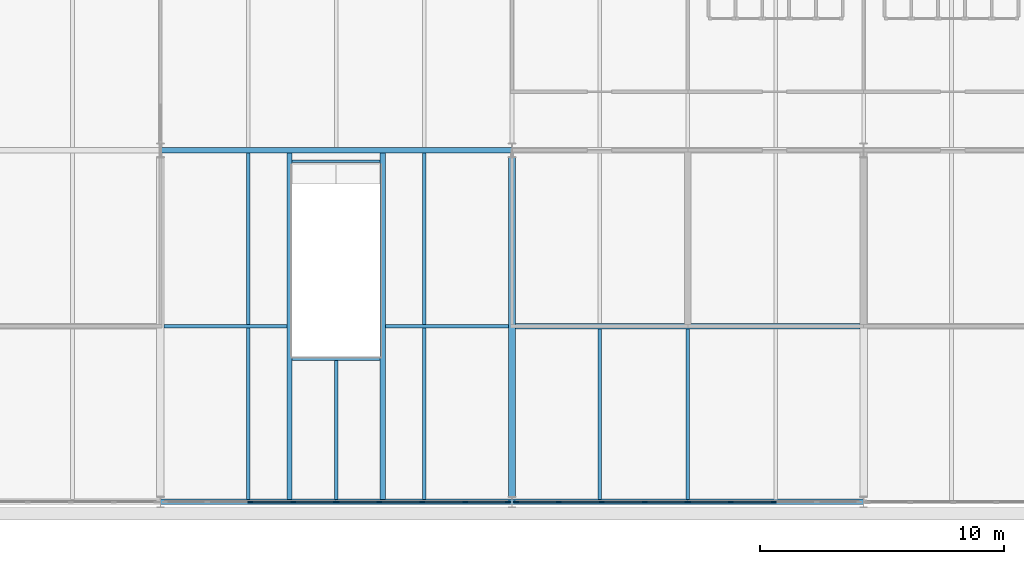
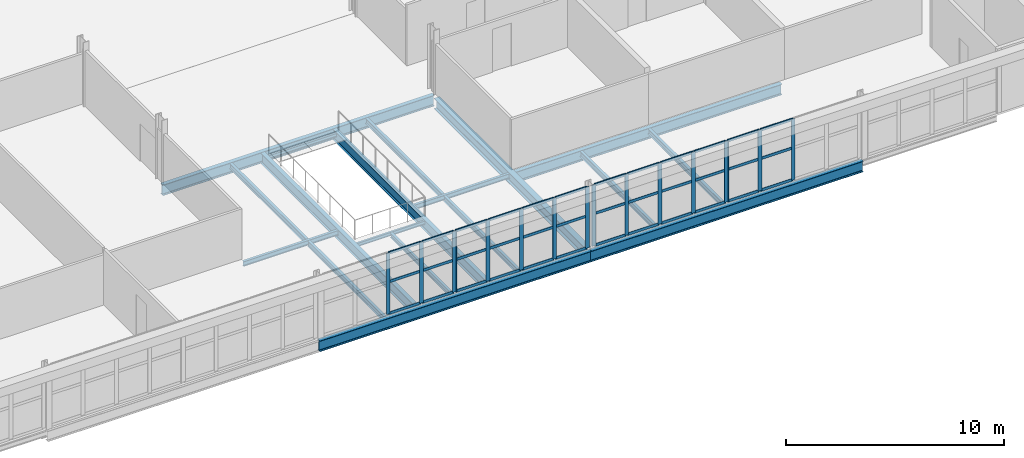
# One storey, part 25 of 142: 52 members, 18 beams, 4 elements without a shape of their own.
"""IFC4 building model written with IfcOpenShell, lengths in metres."""

from ifc_helpers import new_model, si_unit, direction, frame, origin, origin_2d, place, context, subcontext, project, spatial, rectangle, i_section, extrude, material, material_profile, profile_set, type_object, element, aggregate, save


model = new_model("IFC4")

# Units and contexts
model_context = context("Model", 3, precision=1e-05, world=origin(), true_north=direction((0.0, 1.0)))
body_context = subcontext(model_context, "Body", "Model", "MODEL_VIEW")
ifc_project = project(units=[si_unit("LENGTHUNIT", "METRE"), si_unit("AREAUNIT", "SQUARE_METRE"), si_unit("VOLUMEUNIT", "CUBIC_METRE"), si_unit("PLANEANGLEUNIT", "RADIAN"), si_unit("MASSUNIT", "GRAM", prefix="KILO")], contexts=[model_context])

# Site, building, storey
site_placement = place(None, origin())
site = spatial("IfcSite", under=ifc_project, at=site_placement, CompositionType="ELEMENT")
building_placement = place(site_placement, origin())
building = spatial("IfcBuilding", under=site, at=building_placement, Name="Kupolbacken Congress Centre", CompositionType="ELEMENT")
storey_placement = place(building_placement, frame((0.0, 0.0, 14.39990234375)))
storey = spatial("IfcBuildingStorey", under=building, at=storey_placement, Name="L04", CompositionType="ELEMENT", Elevation=14.39990234375)

# Beams
ifc_material_1 = material(Name="Steel S355", Category="steel")
ifc_material_profile_1 = material_profile(ifc_material_1, i_section(OverallWidth=0.10009765625, OverallDepth=0.199951171875, WebThickness=0.005615234375, FlangeThickness=0.008544921875, FilletRadius=0.011962890625, at=origin_2d()), Name="IPE 200")
ifc_profile_set_1 = profile_set([ifc_material_profile_1], Name="Steel S355")
beam_type_1 = type_object("IfcBeamType", Name="B01 beam IPE 200", PredefinedType="BEAM", material=ifc_profile_set_1)
for number, where, z_axis, x_axis, name in (
    (1, (41.39990234375, 34.65234375, -0.27978515625), (1.0, 0.0, 0.0), (0.0, 1.0, 0.0), "S/floor/F/L04/T032"),
    (2, (41.39990234375, 42.747802734375, -0.27978515625), (1.0, 0.0, 0.0), (0.0, 1.0, 0.0), "S/floor/F/L04/T033"),
):
    element("IfcBeam", number, at=place(storey_placement, frame(where, z_axis=z_axis, x_axis=x_axis)), inside=storey, type_object=beam_type_1, Name=name, PredefinedType="BEAM", context=body_context, shape_type="SweptSolid", body=[
        extrude(i_section(OverallWidth=0.10009765625, OverallDepth=0.199951171875, WebThickness=0.005615234375, FlangeThickness=0.008544921875, FilletRadius=0.011962890625, at=origin_2d()), origin(), (0.0, 0.0, 1.0), 3.60009765625),
    ])
ifc_material_2 = material(Name="Steel S355", Category="steel")
ifc_material_profile_2 = material_profile(ifc_material_2, i_section(OverallWidth=0.135009765625, OverallDepth=0.27001953125, WebThickness=0.006591796875, FlangeThickness=0.01025390625, FilletRadius=0.014892578125, at=origin_2d()), Name="IPE 270")
ifc_profile_set_2 = profile_set([ifc_material_profile_2], Name="Steel S355")
beam_type_2 = type_object("IfcBeamType", Name="B03 beam IPE 270", PredefinedType="BEAM", material=ifc_profile_set_2)
for number, where, z_axis, x_axis, name in (
    (3, (36.14990234375, 36.0, -0.31494140625), (1.0, 0.0, 0.0), (0.0, 1.0, 0.0), "S/floor/F/L04/R036"),
    (4, (45.219970703125, 36.0, -0.31494140625), (1.0, 0.0, 0.0), (0.0, 1.0, 0.0), "S/floor/F/L04/R037"),
):
    element("IfcBeam", number, at=place(storey_placement, frame(where, z_axis=z_axis, x_axis=x_axis)), inside=storey, type_object=beam_type_2, Name=name, PredefinedType="BEAM", context=body_context, shape_type="SweptSolid", body=[
        extrude(i_section(OverallWidth=0.135009765625, OverallDepth=0.27001953125, WebThickness=0.006591796875, FlangeThickness=0.01025390625, FilletRadius=0.014892578125, at=origin_2d()), origin(), (0.0, 0.0, 1.0), 5.030029296875),
    ])
beam_1_placement = place(storey_placement, frame((43.199951171875, 28.909912109375, -0.31494140625), z_axis=(0.0, 1.0, 0.0), x_axis=(-1.0, 0.0, 0.0)))
element("IfcBeam", 5, at=beam_1_placement, inside=storey, type_object=beam_type_2, Name="S/floor/F/L04/S061", PredefinedType="BEAM", context=body_context, shape_type="SweptSolid", body=[
    extrude(i_section(OverallWidth=0.135009765625, OverallDepth=0.27001953125, WebThickness=0.006591796875, FlangeThickness=0.01025390625, FilletRadius=0.014892578125, at=origin_2d()), origin(), (0.0, 0.0, 1.0), 5.6923828125),
])
ifc_material_3 = material(Name="Steel S355", Category="steel")
ifc_material_profile_3 = material_profile(ifc_material_3, i_section(OverallWidth=0.14990234375, OverallDepth=0.300048828125, WebThickness=0.007080078125, FlangeThickness=0.0107421875, FilletRadius=0.014892578125, at=origin_2d()), Name="IPE 300")
ifc_profile_set_3 = profile_set([ifc_material_profile_3], Name="Steel S355")
beam_type_3 = type_object("IfcBeamType", Name="B04 beam IPE 300", PredefinedType="BEAM", material=ifc_profile_set_3)
for number, where, z_axis, x_axis, name in (
    (6, (39.60009765625, 28.909912109375, -0.329833984375), (0.0, 1.0, 0.0), (-1.0, 0.0, 0.0), "S/floor/F/L04/S058"),
    (7, (39.60009765625, 36.0673828125, -0.329833984375), (0.0, 1.0, 0.0), (-1.0, 0.0, 0.0), "S/floor/F/L04/S059"),
    (8, (46.800048828125, 28.909912109375, -0.329833984375), (0.0, 1.0, 0.0), (-1.0, 0.0, 0.0), "S/floor/F/L04/S063"),
    (9, (46.800048828125, 36.0673828125, -0.329833984375), (0.0, 1.0, 0.0), (-1.0, 0.0, 0.0), "S/floor/F/L04/S064"),
):
    element("IfcBeam", number, at=place(storey_placement, frame(where, z_axis=z_axis, x_axis=x_axis)), inside=storey, type_object=beam_type_3, Name=name, PredefinedType="BEAM", context=body_context, shape_type="SweptSolid", body=[
        extrude(i_section(OverallWidth=0.14990234375, OverallDepth=0.300048828125, WebThickness=0.007080078125, FlangeThickness=0.0107421875, FilletRadius=0.014892578125, at=origin_2d()), origin(), (0.0, 0.0, 1.0), 7.022705078125),
    ])
for number, where, z_axis, x_axis, name in (
    (10, (54.0, 28.909912109375, -0.329833984375), (0.0, 1.0, 0.0), (-1.0, 0.0, 0.0), "S/floor/F/L04/S066"),
    (11, (57.60009765625, 28.909912109375, -0.329833984375), (0.0, 1.0, 0.0), (-1.0, 0.0, 0.0), "S/floor/F/L04/S069"),
):
    element("IfcBeam", number, at=place(storey_placement, frame(where, z_axis=z_axis, x_axis=x_axis)), inside=storey, type_object=beam_type_3, Name=name, PredefinedType="BEAM", context=body_context, shape_type="SweptSolid", body=[
        extrude(i_section(OverallWidth=0.14990234375, OverallDepth=0.300048828125, WebThickness=0.007080078125, FlangeThickness=0.0107421875, FilletRadius=0.014892578125, at=origin_2d()), origin(), (0.0, 0.0, 1.0), 6.97998046875),
    ])
ifc_material_4 = material(Name="Steel S355", Category="steel")
ifc_material_profile_4 = material_profile(ifc_material_4, i_section(OverallWidth=0.219970703125, OverallDepth=0.60009765625, WebThickness=0.011962890625, FlangeThickness=0.01904296875, FilletRadius=0.02392578125, at=origin_2d()), Name="IPE 600")
ifc_profile_set_4 = profile_set([ifc_material_profile_4], Name="Steel S355")
beam_type_4 = type_object("IfcBeamType", Name="B11 beam IPE 600", PredefinedType="BEAM", material=ifc_profile_set_4)
for number, where, z_axis, x_axis, name in (
    (12, (36.007080078125, 28.800048828125, -0.47998046875), (1.0, 0.0, 0.0), (0.0, 1.0, 0.0), "S/floor/F/L04/R017"),
    (13, (50.406982421875, 28.800048828125, -0.47998046875), (1.0, 0.0, 0.0), (0.0, 1.0, 0.0), "S/floor/F/L04/R018"),
):
    element("IfcBeam", number, at=place(storey_placement, frame(where, z_axis=z_axis, x_axis=x_axis)), inside=storey, type_object=beam_type_4, Name=name, PredefinedType="BEAM", context=body_context, shape_type="SweptSolid", body=[
        extrude(i_section(OverallWidth=0.219970703125, OverallDepth=0.60009765625, WebThickness=0.011962890625, FlangeThickness=0.01904296875, FilletRadius=0.02392578125, at=origin_2d()), origin(), (0.0, 0.0, 1.0), 14.385986328125),
    ])
beam_2_placement = place(storey_placement, frame((36.0078125, 43.199951171875, -0.47998046875), z_axis=(1.0, 0.0, 0.0), x_axis=(0.0, 1.0, 0.0)))
element("IfcBeam", 14, at=beam_2_placement, inside=storey, type_object=beam_type_4, Name="S/floor/F/L04/R022", PredefinedType="BEAM", context=body_context, shape_type="SweptSolid", body=[
    extrude(i_section(OverallWidth=0.219970703125, OverallDepth=0.60009765625, WebThickness=0.011962890625, FlangeThickness=0.01904296875, FilletRadius=0.02392578125, at=origin_2d()), origin(), (0.0, 0.0, 1.0), 14.384521484375),
])
for number, where, z_axis, x_axis, name in (
    (15, (41.2900390625, 28.909912109375, -0.47998046875), (0.0, 1.0, 0.0), (-1.0, 0.0, 0.0), "S/floor/F/L04/T030"),
    (16, (45.110107421875, 28.909912109375, -0.47998046875), (0.0, 1.0, 0.0), (-1.0, 0.0, 0.0), "S/floor/F/L04/T031"),
):
    element("IfcBeam", number, at=place(storey_placement, frame(where, z_axis=z_axis, x_axis=x_axis)), inside=storey, type_object=beam_type_4, Name=name, PredefinedType="BEAM", context=body_context, shape_type="SweptSolid", body=[
        extrude(i_section(OverallWidth=0.219970703125, OverallDepth=0.60009765625, WebThickness=0.011962890625, FlangeThickness=0.01904296875, FilletRadius=0.02392578125, at=origin_2d()), origin(), (0.0, 0.0, 1.0), 14.18017578125),
    ])
beam_3_placement = place(storey_placement, frame((50.550048828125, 36.0, -0.47998046875), z_axis=(1.0, 0.0, 0.0), x_axis=(0.0, 1.0, 0.0)))
element("IfcBeam", 17, at=beam_3_placement, inside=storey, type_object=beam_type_4, Name="S/floor/F/L04/R038", PredefinedType="BEAM", context=body_context, shape_type="SweptSolid", body=[
    extrude(i_section(OverallWidth=0.219970703125, OverallDepth=0.60009765625, WebThickness=0.011962890625, FlangeThickness=0.01904296875, FilletRadius=0.02392578125, at=origin_2d()), origin(), (0.0, 0.0, 1.0), 14.099853515625),
])
ifc_material_5 = material(Name="Steel S355", Category="steel")
ifc_material_profile_5 = material_profile(ifc_material_5, i_section(OverallWidth=0.300048828125, OverallDepth=0.60009765625, WebThickness=0.015380859375, FlangeThickness=0.030029296875, FilletRadius=0.027099609375, at=origin_2d()), Name="HEB 600")
ifc_profile_set_5 = profile_set([ifc_material_profile_5], Name="Steel S355")
beam_type_5 = type_object("IfcBeamType", Name="B15 beam HEB 600", PredefinedType="BEAM", material=ifc_profile_set_5)
beam_4_placement = place(storey_placement, frame((50.39990234375, 29.02490234375, -0.47998046875), z_axis=(0.0, 1.0, 0.0), x_axis=(-1.0, 0.0, 0.0)))
element("IfcBeam", 18, at=beam_4_placement, inside=storey, type_object=beam_type_5, Name="S/floor/F/L04/G008", PredefinedType="BEAM", context=body_context, shape_type="SweptSolid", body=[
    extrude(i_section(OverallWidth=0.300048828125, OverallDepth=0.60009765625, WebThickness=0.015380859375, FlangeThickness=0.030029296875, FilletRadius=0.027099609375, at=origin_2d()), origin(), (0.0, 0.0, 1.0), 13.875),
])

# Curtain wall, members
ifc_material_6 = material(Name="Aluminium mullion-transom frame with glass", Category="aluminium")
curtain_wall_type = type_object("IfcCurtainWallType", Name="CW1 curtain wall 7200x3600", PredefinedType="NOTDEFINED", material=ifc_material_6)
curtain_wall_1_placement = place(storey_placement, origin())
curtain_wall_1 = element("IfcCurtainWall", 19, at=curtain_wall_1_placement, inside=storey, type_object=curtain_wall_type, Name="E/F/S/L04/416", PredefinedType="NOTDEFINED")
ifc_material_7 = material(Name="Aluminium alloy", Category="aluminium")
ifc_material_profile_6 = material_profile(ifc_material_7, rectangle(XDim=0.050048828125, YDim=0.199951171875, at=origin_2d()), Name="50 x 200")
ifc_profile_set_6 = profile_set([ifc_material_profile_6], Name="Aluminium alloy")
member_type_1 = type_object("IfcMemberType", Name="MU2 mullion 50x200", PredefinedType="MULLION", material=ifc_profile_set_6)
member_1_placement = place(storey_placement, frame((39.675048828125, 28.800048828125, 0.0), z_axis=(0.0, 0.0, 1.0), x_axis=(0.0, 1.0, 0.0)))
member_1 = element("IfcMember", 20, at=member_1_placement, type_object=member_type_1, Name="CW1 mullion 3", PredefinedType="MULLION", context=body_context, shape_type="SweptSolid", body=[
    extrude(rectangle(XDim=0.050048828125, YDim=0.199951171875, at=origin_2d()), origin(), (0.0, 0.0, 1.0), 3.420166015625),
])
member_2_placement = place(storey_placement, frame((41.4375, 28.800048828125, 0.0), z_axis=(0.0, 0.0, 1.0), x_axis=(0.0, 1.0, 0.0)))
member_2 = element("IfcMember", 21, at=member_2_placement, type_object=member_type_1, Name="CW1 mullion 4", PredefinedType="MULLION", context=body_context, shape_type="SweptSolid", body=[
    extrude(rectangle(XDim=0.050048828125, YDim=0.199951171875, at=origin_2d()), origin(), (0.0, 0.0, 1.0), 3.420166015625),
])
member_3_placement = place(storey_placement, frame((43.175048828125, 28.800048828125, 0.0), z_axis=(0.0, 0.0, 1.0), x_axis=(0.0, 1.0, 0.0)))
member_3 = element("IfcMember", 22, at=member_3_placement, type_object=member_type_1, Name="CW1 mullion 5", PredefinedType="MULLION", context=body_context, shape_type="SweptSolid", body=[
    extrude(rectangle(XDim=0.050048828125, YDim=0.199951171875, at=origin_2d()), origin(), (0.0, 0.0, 1.0), 3.420166015625),
])

curtain_wall_2_placement = place(storey_placement, origin())
curtain_wall_2 = element("IfcCurtainWall", 23, at=curtain_wall_2_placement, inside=storey, type_object=curtain_wall_type, Name="E/F/S/L04/417", PredefinedType="NOTDEFINED")
member_4_placement = place(storey_placement, frame((43.22509765625, 28.800048828125, 0.0), z_axis=(0.0, 0.0, 1.0), x_axis=(0.0, 1.0, 0.0)))
member_4 = element("IfcMember", 24, at=member_4_placement, type_object=member_type_1, Name="CW1 mullion 1", PredefinedType="MULLION", context=body_context, shape_type="SweptSolid", body=[
    extrude(rectangle(XDim=0.050048828125, YDim=0.199951171875, at=origin_2d()), origin(), (0.0, 0.0, 1.0), 3.420166015625),
])
member_5_placement = place(storey_placement, frame((44.96240234375, 28.800048828125, 0.0), z_axis=(0.0, 0.0, 1.0), x_axis=(0.0, 1.0, 0.0)))
member_5 = element("IfcMember", 25, at=member_5_placement, type_object=member_type_1, Name="CW1 mullion 2", PredefinedType="MULLION", context=body_context, shape_type="SweptSolid", body=[
    extrude(rectangle(XDim=0.050048828125, YDim=0.199951171875, at=origin_2d()), origin(), (0.0, 0.0, 1.0), 3.420166015625),
])
member_6_placement = place(storey_placement, frame((46.72509765625, 28.800048828125, 0.0), z_axis=(0.0, 0.0, 1.0), x_axis=(0.0, 1.0, 0.0)))
member_6 = element("IfcMember", 26, at=member_6_placement, type_object=member_type_1, Name="CW1 mullion 3", PredefinedType="MULLION", context=body_context, shape_type="SweptSolid", body=[
    extrude(rectangle(XDim=0.050048828125, YDim=0.199951171875, at=origin_2d()), origin(), (0.0, 0.0, 1.0), 3.420166015625),
])
member_7_placement = place(storey_placement, frame((48.487548828125, 28.800048828125, 0.0), z_axis=(0.0, 0.0, 1.0), x_axis=(0.0, 1.0, 0.0)))
member_7 = element("IfcMember", 27, at=member_7_placement, type_object=member_type_1, Name="CW1 mullion 4", PredefinedType="MULLION", context=body_context, shape_type="SweptSolid", body=[
    extrude(rectangle(XDim=0.050048828125, YDim=0.199951171875, at=origin_2d()), origin(), (0.0, 0.0, 1.0), 3.420166015625),
])
member_8_placement = place(storey_placement, frame((50.22509765625, 28.800048828125, 0.0), z_axis=(0.0, 0.0, 1.0), x_axis=(0.0, 1.0, 0.0)))
member_8 = element("IfcMember", 28, at=member_8_placement, type_object=member_type_1, Name="CW1 mullion 5", PredefinedType="MULLION", context=body_context, shape_type="SweptSolid", body=[
    extrude(rectangle(XDim=0.050048828125, YDim=0.199951171875, at=origin_2d()), origin(), (0.0, 0.0, 1.0), 3.420166015625),
])

curtain_wall_3_placement = place(storey_placement, origin())
curtain_wall_3 = element("IfcCurtainWall", 29, at=curtain_wall_3_placement, inside=storey, type_object=curtain_wall_type, Name="E/F/S/L04/418", PredefinedType="NOTDEFINED")
member_9_placement = place(storey_placement, frame((50.574951171875, 28.800048828125, 0.0), z_axis=(0.0, 0.0, 1.0), x_axis=(0.0, 1.0, 0.0)))
member_9 = element("IfcMember", 30, at=member_9_placement, type_object=member_type_1, Name="CW1 mullion 1", PredefinedType="MULLION", context=body_context, shape_type="SweptSolid", body=[
    extrude(rectangle(XDim=0.050048828125, YDim=0.199951171875, at=origin_2d()), origin(), (0.0, 0.0, 1.0), 3.420166015625),
])
member_10_placement = place(storey_placement, frame((52.3125, 28.800048828125, 0.0), z_axis=(0.0, 0.0, 1.0), x_axis=(0.0, 1.0, 0.0)))
member_10 = element("IfcMember", 31, at=member_10_placement, type_object=member_type_1, Name="CW1 mullion 2", PredefinedType="MULLION", context=body_context, shape_type="SweptSolid", body=[
    extrude(rectangle(XDim=0.050048828125, YDim=0.199951171875, at=origin_2d()), origin(), (0.0, 0.0, 1.0), 3.420166015625),
])
member_11_placement = place(storey_placement, frame((54.074951171875, 28.800048828125, 0.0), z_axis=(0.0, 0.0, 1.0), x_axis=(0.0, 1.0, 0.0)))
member_11 = element("IfcMember", 32, at=member_11_placement, type_object=member_type_1, Name="CW1 mullion 3", PredefinedType="MULLION", context=body_context, shape_type="SweptSolid", body=[
    extrude(rectangle(XDim=0.050048828125, YDim=0.199951171875, at=origin_2d()), origin(), (0.0, 0.0, 1.0), 3.420166015625),
])
member_12_placement = place(storey_placement, frame((55.83740234375, 28.800048828125, 0.0), z_axis=(0.0, 0.0, 1.0), x_axis=(0.0, 1.0, 0.0)))
member_12 = element("IfcMember", 33, at=member_12_placement, type_object=member_type_1, Name="CW1 mullion 4", PredefinedType="MULLION", context=body_context, shape_type="SweptSolid", body=[
    extrude(rectangle(XDim=0.050048828125, YDim=0.199951171875, at=origin_2d()), origin(), (0.0, 0.0, 1.0), 3.420166015625),
])
member_13_placement = place(storey_placement, frame((57.574951171875, 28.800048828125, 0.0), z_axis=(0.0, 0.0, 1.0), x_axis=(0.0, 1.0, 0.0)))
member_13 = element("IfcMember", 34, at=member_13_placement, type_object=member_type_1, Name="CW1 mullion 5", PredefinedType="MULLION", context=body_context, shape_type="SweptSolid", body=[
    extrude(rectangle(XDim=0.050048828125, YDim=0.199951171875, at=origin_2d()), origin(), (0.0, 0.0, 1.0), 3.420166015625),
])

curtain_wall_4_placement = place(storey_placement, origin())
curtain_wall_4 = element("IfcCurtainWall", 35, at=curtain_wall_4_placement, inside=storey, type_object=curtain_wall_type, Name="E/F/S/L04/419", PredefinedType="NOTDEFINED")
member_14_placement = place(storey_placement, frame((57.625, 28.800048828125, 0.0), z_axis=(0.0, 0.0, 1.0), x_axis=(0.0, 1.0, 0.0)))
member_14 = element("IfcMember", 36, at=member_14_placement, type_object=member_type_1, Name="CW1 mullion 1", PredefinedType="MULLION", context=body_context, shape_type="SweptSolid", body=[
    extrude(rectangle(XDim=0.050048828125, YDim=0.199951171875, at=origin_2d()), origin(), (0.0, 0.0, 1.0), 3.420166015625),
])
member_15_placement = place(storey_placement, frame((59.362548828125, 28.800048828125, 0.0), z_axis=(0.0, 0.0, 1.0), x_axis=(0.0, 1.0, 0.0)))
member_15 = element("IfcMember", 37, at=member_15_placement, type_object=member_type_1, Name="CW1 mullion 2", PredefinedType="MULLION", context=body_context, shape_type="SweptSolid", body=[
    extrude(rectangle(XDim=0.050048828125, YDim=0.199951171875, at=origin_2d()), origin(), (0.0, 0.0, 1.0), 3.420166015625),
])
member_16_placement = place(storey_placement, frame((61.125, 28.800048828125, 0.0), z_axis=(0.0, 0.0, 1.0), x_axis=(0.0, 1.0, 0.0)))
member_16 = element("IfcMember", 38, at=member_16_placement, type_object=member_type_1, Name="CW1 mullion 3", PredefinedType="MULLION", context=body_context, shape_type="SweptSolid", body=[
    extrude(rectangle(XDim=0.050048828125, YDim=0.199951171875, at=origin_2d()), origin(), (0.0, 0.0, 1.0), 3.420166015625),
])

# Member
ifc_material_8 = material(Name="Aluminium alloy", Category="aluminium")
ifc_material_profile_7 = material_profile(ifc_material_8, rectangle(XDim=0.050048828125, YDim=0.14990234375, at=origin_2d()), Name="50 x 150")
ifc_profile_set_7 = profile_set([ifc_material_profile_7], Name="Aluminium alloy")
member_type_2 = type_object("IfcMemberType", Name="TR2 transom 50x150", PredefinedType="MULLION", material=ifc_profile_set_7)
member_17_placement = place(storey_placement, frame((39.699951171875, 28.800048828125, 0.025146484375), z_axis=(1.0, 0.0, 0.0), x_axis=(0.0, 1.0, 0.0)))
member_17 = element("IfcMember", 39, at=member_17_placement, type_object=member_type_2, Name="CW1 transom 3.1", PredefinedType="MULLION", context=body_context, shape_type="SweptSolid", body=[
    extrude(rectangle(XDim=0.050048828125, YDim=0.14990234375, at=origin_2d()), origin(), (0.0, 0.0, 1.0), 1.712646484375),
])

member_18_placement = place(storey_placement, frame((39.699951171875, 28.800048828125, 1.800048828125), z_axis=(1.0, 0.0, 0.0), x_axis=(0.0, 1.0, 0.0)))
member_18 = element("IfcMember", 40, at=member_18_placement, type_object=member_type_2, Name="CW1 transom 3.2", PredefinedType="MULLION", context=body_context, shape_type="SweptSolid", body=[
    extrude(rectangle(XDim=0.050048828125, YDim=0.14990234375, at=origin_2d()), origin(), (0.0, 0.0, 1.0), 1.712646484375),
])

member_19_placement = place(storey_placement, frame((39.699951171875, 28.800048828125, 3.39501953125), z_axis=(1.0, 0.0, 0.0), x_axis=(0.0, 1.0, 0.0)))
member_19 = element("IfcMember", 41, at=member_19_placement, type_object=member_type_2, Name="CW1 transom 3.3", PredefinedType="MULLION", context=body_context, shape_type="SweptSolid", body=[
    extrude(rectangle(XDim=0.050048828125, YDim=0.14990234375, at=origin_2d()), origin(), (0.0, 0.0, 1.0), 1.712646484375),
])

member_20_placement = place(storey_placement, frame((41.46240234375, 28.800048828125, 0.025146484375), z_axis=(1.0, 0.0, 0.0), x_axis=(0.0, 1.0, 0.0)))
member_20 = element("IfcMember", 42, at=member_20_placement, type_object=member_type_2, Name="CW1 transom 4.1", PredefinedType="MULLION", context=body_context, shape_type="SweptSolid", body=[
    extrude(rectangle(XDim=0.050048828125, YDim=0.14990234375, at=origin_2d()), origin(), (0.0, 0.0, 1.0), 1.6875),
])

member_21_placement = place(storey_placement, frame((41.46240234375, 28.800048828125, 1.800048828125), z_axis=(1.0, 0.0, 0.0), x_axis=(0.0, 1.0, 0.0)))
member_21 = element("IfcMember", 43, at=member_21_placement, type_object=member_type_2, Name="CW1 transom 4.2", PredefinedType="MULLION", context=body_context, shape_type="SweptSolid", body=[
    extrude(rectangle(XDim=0.050048828125, YDim=0.14990234375, at=origin_2d()), origin(), (0.0, 0.0, 1.0), 1.6875),
])

member_22_placement = place(storey_placement, frame((41.46240234375, 28.800048828125, 3.39501953125), z_axis=(1.0, 0.0, 0.0), x_axis=(0.0, 1.0, 0.0)))
member_22 = element("IfcMember", 44, at=member_22_placement, type_object=member_type_2, Name="CW1 transom 4.3", PredefinedType="MULLION", context=body_context, shape_type="SweptSolid", body=[
    extrude(rectangle(XDim=0.050048828125, YDim=0.14990234375, at=origin_2d()), origin(), (0.0, 0.0, 1.0), 1.6875),
])

aggregate(curtain_wall_1, [member_1, member_2, member_3, member_17, member_18, member_19, member_20, member_21, member_22])

member_23_placement = place(storey_placement, frame((43.25, 28.800048828125, 0.025146484375), z_axis=(1.0, 0.0, 0.0), x_axis=(0.0, 1.0, 0.0)))
member_23 = element("IfcMember", 45, at=member_23_placement, type_object=member_type_2, Name="CW1 transom 1.1", PredefinedType="MULLION", context=body_context, shape_type="SweptSolid", body=[
    extrude(rectangle(XDim=0.050048828125, YDim=0.14990234375, at=origin_2d()), origin(), (0.0, 0.0, 1.0), 1.6875),
])

member_24_placement = place(storey_placement, frame((43.25, 28.800048828125, 1.800048828125), z_axis=(1.0, 0.0, 0.0), x_axis=(0.0, 1.0, 0.0)))
member_24 = element("IfcMember", 46, at=member_24_placement, type_object=member_type_2, Name="CW1 transom 1.2", PredefinedType="MULLION", context=body_context, shape_type="SweptSolid", body=[
    extrude(rectangle(XDim=0.050048828125, YDim=0.14990234375, at=origin_2d()), origin(), (0.0, 0.0, 1.0), 1.6875),
])

member_25_placement = place(storey_placement, frame((43.25, 28.800048828125, 3.39501953125), z_axis=(1.0, 0.0, 0.0), x_axis=(0.0, 1.0, 0.0)))
member_25 = element("IfcMember", 47, at=member_25_placement, type_object=member_type_2, Name="CW1 transom 1.3", PredefinedType="MULLION", context=body_context, shape_type="SweptSolid", body=[
    extrude(rectangle(XDim=0.050048828125, YDim=0.14990234375, at=origin_2d()), origin(), (0.0, 0.0, 1.0), 1.6875),
])

member_26_placement = place(storey_placement, frame((44.987548828125, 28.800048828125, 0.025146484375), z_axis=(1.0, 0.0, 0.0), x_axis=(0.0, 1.0, 0.0)))
member_26 = element("IfcMember", 48, at=member_26_placement, type_object=member_type_2, Name="CW1 transom 2.1", PredefinedType="MULLION", context=body_context, shape_type="SweptSolid", body=[
    extrude(rectangle(XDim=0.050048828125, YDim=0.14990234375, at=origin_2d()), origin(), (0.0, 0.0, 1.0), 1.71240234375),
])

member_27_placement = place(storey_placement, frame((44.987548828125, 28.800048828125, 1.800048828125), z_axis=(1.0, 0.0, 0.0), x_axis=(0.0, 1.0, 0.0)))
member_27 = element("IfcMember", 49, at=member_27_placement, type_object=member_type_2, Name="CW1 transom 2.2", PredefinedType="MULLION", context=body_context, shape_type="SweptSolid", body=[
    extrude(rectangle(XDim=0.050048828125, YDim=0.14990234375, at=origin_2d()), origin(), (0.0, 0.0, 1.0), 1.71240234375),
])

member_28_placement = place(storey_placement, frame((44.987548828125, 28.800048828125, 3.39501953125), z_axis=(1.0, 0.0, 0.0), x_axis=(0.0, 1.0, 0.0)))
member_28 = element("IfcMember", 50, at=member_28_placement, type_object=member_type_2, Name="CW1 transom 2.3", PredefinedType="MULLION", context=body_context, shape_type="SweptSolid", body=[
    extrude(rectangle(XDim=0.050048828125, YDim=0.14990234375, at=origin_2d()), origin(), (0.0, 0.0, 1.0), 1.71240234375),
])

member_29_placement = place(storey_placement, frame((46.75, 28.800048828125, 0.025146484375), z_axis=(1.0, 0.0, 0.0), x_axis=(0.0, 1.0, 0.0)))
member_29 = element("IfcMember", 51, at=member_29_placement, type_object=member_type_2, Name="CW1 transom 3.1", PredefinedType="MULLION", context=body_context, shape_type="SweptSolid", body=[
    extrude(rectangle(XDim=0.050048828125, YDim=0.14990234375, at=origin_2d()), origin(), (0.0, 0.0, 1.0), 1.71240234375),
])

member_30_placement = place(storey_placement, frame((46.75, 28.800048828125, 1.800048828125), z_axis=(1.0, 0.0, 0.0), x_axis=(0.0, 1.0, 0.0)))
member_30 = element("IfcMember", 52, at=member_30_placement, type_object=member_type_2, Name="CW1 transom 3.2", PredefinedType="MULLION", context=body_context, shape_type="SweptSolid", body=[
    extrude(rectangle(XDim=0.050048828125, YDim=0.14990234375, at=origin_2d()), origin(), (0.0, 0.0, 1.0), 1.71240234375),
])

member_31_placement = place(storey_placement, frame((46.75, 28.800048828125, 3.39501953125), z_axis=(1.0, 0.0, 0.0), x_axis=(0.0, 1.0, 0.0)))
member_31 = element("IfcMember", 53, at=member_31_placement, type_object=member_type_2, Name="CW1 transom 3.3", PredefinedType="MULLION", context=body_context, shape_type="SweptSolid", body=[
    extrude(rectangle(XDim=0.050048828125, YDim=0.14990234375, at=origin_2d()), origin(), (0.0, 0.0, 1.0), 1.71240234375),
])

member_32_placement = place(storey_placement, frame((48.512451171875, 28.800048828125, 0.025146484375), z_axis=(1.0, 0.0, 0.0), x_axis=(0.0, 1.0, 0.0)))
member_32 = element("IfcMember", 54, at=member_32_placement, type_object=member_type_2, Name="CW1 transom 4.1", PredefinedType="MULLION", context=body_context, shape_type="SweptSolid", body=[
    extrude(rectangle(XDim=0.050048828125, YDim=0.14990234375, at=origin_2d()), origin(), (0.0, 0.0, 1.0), 1.6875),
])

member_33_placement = place(storey_placement, frame((48.512451171875, 28.800048828125, 1.800048828125), z_axis=(1.0, 0.0, 0.0), x_axis=(0.0, 1.0, 0.0)))
member_33 = element("IfcMember", 55, at=member_33_placement, type_object=member_type_2, Name="CW1 transom 4.2", PredefinedType="MULLION", context=body_context, shape_type="SweptSolid", body=[
    extrude(rectangle(XDim=0.050048828125, YDim=0.14990234375, at=origin_2d()), origin(), (0.0, 0.0, 1.0), 1.6875),
])

member_34_placement = place(storey_placement, frame((48.512451171875, 28.800048828125, 3.39501953125), z_axis=(1.0, 0.0, 0.0), x_axis=(0.0, 1.0, 0.0)))
member_34 = element("IfcMember", 56, at=member_34_placement, type_object=member_type_2, Name="CW1 transom 4.3", PredefinedType="MULLION", context=body_context, shape_type="SweptSolid", body=[
    extrude(rectangle(XDim=0.050048828125, YDim=0.14990234375, at=origin_2d()), origin(), (0.0, 0.0, 1.0), 1.6875),
])

aggregate(curtain_wall_2, [member_4, member_5, member_6, member_7, member_8, member_23, member_24, member_25, member_26, member_27, member_28, member_29, member_30, member_31, member_32, member_33, member_34])

member_35_placement = place(storey_placement, frame((50.60009765625, 28.800048828125, 0.025146484375), z_axis=(1.0, 0.0, 0.0), x_axis=(0.0, 1.0, 0.0)))
member_35 = element("IfcMember", 57, at=member_35_placement, type_object=member_type_2, Name="CW1 transom 1.1", PredefinedType="MULLION", context=body_context, shape_type="SweptSolid", body=[
    extrude(rectangle(XDim=0.050048828125, YDim=0.14990234375, at=origin_2d()), origin(), (0.0, 0.0, 1.0), 1.6875),
])

member_36_placement = place(storey_placement, frame((50.60009765625, 28.800048828125, 1.800048828125), z_axis=(1.0, 0.0, 0.0), x_axis=(0.0, 1.0, 0.0)))
member_36 = element("IfcMember", 58, at=member_36_placement, type_object=member_type_2, Name="CW1 transom 1.2", PredefinedType="MULLION", context=body_context, shape_type="SweptSolid", body=[
    extrude(rectangle(XDim=0.050048828125, YDim=0.14990234375, at=origin_2d()), origin(), (0.0, 0.0, 1.0), 1.6875),
])

member_37_placement = place(storey_placement, frame((50.60009765625, 28.800048828125, 3.39501953125), z_axis=(1.0, 0.0, 0.0), x_axis=(0.0, 1.0, 0.0)))
member_37 = element("IfcMember", 59, at=member_37_placement, type_object=member_type_2, Name="CW1 transom 1.3", PredefinedType="MULLION", context=body_context, shape_type="SweptSolid", body=[
    extrude(rectangle(XDim=0.050048828125, YDim=0.14990234375, at=origin_2d()), origin(), (0.0, 0.0, 1.0), 1.6875),
])

member_38_placement = place(storey_placement, frame((52.33740234375, 28.800048828125, 0.025146484375), z_axis=(1.0, 0.0, 0.0), x_axis=(0.0, 1.0, 0.0)))
member_38 = element("IfcMember", 60, at=member_38_placement, type_object=member_type_2, Name="CW1 transom 2.1", PredefinedType="MULLION", context=body_context, shape_type="SweptSolid", body=[
    extrude(rectangle(XDim=0.050048828125, YDim=0.14990234375, at=origin_2d()), origin(), (0.0, 0.0, 1.0), 1.712646484375),
])

member_39_placement = place(storey_placement, frame((52.33740234375, 28.800048828125, 1.800048828125), z_axis=(1.0, 0.0, 0.0), x_axis=(0.0, 1.0, 0.0)))
member_39 = element("IfcMember", 61, at=member_39_placement, type_object=member_type_2, Name="CW1 transom 2.2", PredefinedType="MULLION", context=body_context, shape_type="SweptSolid", body=[
    extrude(rectangle(XDim=0.050048828125, YDim=0.14990234375, at=origin_2d()), origin(), (0.0, 0.0, 1.0), 1.712646484375),
])

member_40_placement = place(storey_placement, frame((52.33740234375, 28.800048828125, 3.39501953125), z_axis=(1.0, 0.0, 0.0), x_axis=(0.0, 1.0, 0.0)))
member_40 = element("IfcMember", 62, at=member_40_placement, type_object=member_type_2, Name="CW1 transom 2.3", PredefinedType="MULLION", context=body_context, shape_type="SweptSolid", body=[
    extrude(rectangle(XDim=0.050048828125, YDim=0.14990234375, at=origin_2d()), origin(), (0.0, 0.0, 1.0), 1.712646484375),
])

member_41_placement = place(storey_placement, frame((54.10009765625, 28.800048828125, 0.025146484375), z_axis=(1.0, 0.0, 0.0), x_axis=(0.0, 1.0, 0.0)))
member_41 = element("IfcMember", 63, at=member_41_placement, type_object=member_type_2, Name="CW1 transom 3.1", PredefinedType="MULLION", context=body_context, shape_type="SweptSolid", body=[
    extrude(rectangle(XDim=0.050048828125, YDim=0.14990234375, at=origin_2d()), origin(), (0.0, 0.0, 1.0), 1.71240234375),
])

member_42_placement = place(storey_placement, frame((54.10009765625, 28.800048828125, 1.800048828125), z_axis=(1.0, 0.0, 0.0), x_axis=(0.0, 1.0, 0.0)))
member_42 = element("IfcMember", 64, at=member_42_placement, type_object=member_type_2, Name="CW1 transom 3.2", PredefinedType="MULLION", context=body_context, shape_type="SweptSolid", body=[
    extrude(rectangle(XDim=0.050048828125, YDim=0.14990234375, at=origin_2d()), origin(), (0.0, 0.0, 1.0), 1.71240234375),
])

member_43_placement = place(storey_placement, frame((54.10009765625, 28.800048828125, 3.39501953125), z_axis=(1.0, 0.0, 0.0), x_axis=(0.0, 1.0, 0.0)))
member_43 = element("IfcMember", 65, at=member_43_placement, type_object=member_type_2, Name="CW1 transom 3.3", PredefinedType="MULLION", context=body_context, shape_type="SweptSolid", body=[
    extrude(rectangle(XDim=0.050048828125, YDim=0.14990234375, at=origin_2d()), origin(), (0.0, 0.0, 1.0), 1.71240234375),
])

member_44_placement = place(storey_placement, frame((55.862548828125, 28.800048828125, 0.025146484375), z_axis=(1.0, 0.0, 0.0), x_axis=(0.0, 1.0, 0.0)))
member_44 = element("IfcMember", 66, at=member_44_placement, type_object=member_type_2, Name="CW1 transom 4.1", PredefinedType="MULLION", context=body_context, shape_type="SweptSolid", body=[
    extrude(rectangle(XDim=0.050048828125, YDim=0.14990234375, at=origin_2d()), origin(), (0.0, 0.0, 1.0), 1.6875),
])

member_45_placement = place(storey_placement, frame((55.862548828125, 28.800048828125, 1.800048828125), z_axis=(1.0, 0.0, 0.0), x_axis=(0.0, 1.0, 0.0)))
member_45 = element("IfcMember", 67, at=member_45_placement, type_object=member_type_2, Name="CW1 transom 4.2", PredefinedType="MULLION", context=body_context, shape_type="SweptSolid", body=[
    extrude(rectangle(XDim=0.050048828125, YDim=0.14990234375, at=origin_2d()), origin(), (0.0, 0.0, 1.0), 1.6875),
])

member_46_placement = place(storey_placement, frame((55.862548828125, 28.800048828125, 3.39501953125), z_axis=(1.0, 0.0, 0.0), x_axis=(0.0, 1.0, 0.0)))
member_46 = element("IfcMember", 68, at=member_46_placement, type_object=member_type_2, Name="CW1 transom 4.3", PredefinedType="MULLION", context=body_context, shape_type="SweptSolid", body=[
    extrude(rectangle(XDim=0.050048828125, YDim=0.14990234375, at=origin_2d()), origin(), (0.0, 0.0, 1.0), 1.6875),
])

aggregate(curtain_wall_3, [member_9, member_10, member_11, member_12, member_13, member_35, member_36, member_37, member_38, member_39, member_40, member_41, member_42, member_43, member_44, member_45, member_46])

member_47_placement = place(storey_placement, frame((57.64990234375, 28.800048828125, 0.025146484375), z_axis=(1.0, 0.0, 0.0), x_axis=(0.0, 1.0, 0.0)))
member_47 = element("IfcMember", 69, at=member_47_placement, type_object=member_type_2, Name="CW1 transom 1.1", PredefinedType="MULLION", context=body_context, shape_type="SweptSolid", body=[
    extrude(rectangle(XDim=0.050048828125, YDim=0.14990234375, at=origin_2d()), origin(), (0.0, 0.0, 1.0), 1.6875),
])

member_48_placement = place(storey_placement, frame((57.64990234375, 28.800048828125, 1.800048828125), z_axis=(1.0, 0.0, 0.0), x_axis=(0.0, 1.0, 0.0)))
member_48 = element("IfcMember", 70, at=member_48_placement, type_object=member_type_2, Name="CW1 transom 1.2", PredefinedType="MULLION", context=body_context, shape_type="SweptSolid", body=[
    extrude(rectangle(XDim=0.050048828125, YDim=0.14990234375, at=origin_2d()), origin(), (0.0, 0.0, 1.0), 1.6875),
])

member_49_placement = place(storey_placement, frame((57.64990234375, 28.800048828125, 3.39501953125), z_axis=(1.0, 0.0, 0.0), x_axis=(0.0, 1.0, 0.0)))
member_49 = element("IfcMember", 71, at=member_49_placement, type_object=member_type_2, Name="CW1 transom 1.3", PredefinedType="MULLION", context=body_context, shape_type="SweptSolid", body=[
    extrude(rectangle(XDim=0.050048828125, YDim=0.14990234375, at=origin_2d()), origin(), (0.0, 0.0, 1.0), 1.6875),
])

member_50_placement = place(storey_placement, frame((59.387451171875, 28.800048828125, 0.025146484375), z_axis=(1.0, 0.0, 0.0), x_axis=(0.0, 1.0, 0.0)))
member_50 = element("IfcMember", 72, at=member_50_placement, type_object=member_type_2, Name="CW1 transom 2.1", PredefinedType="MULLION", context=body_context, shape_type="SweptSolid", body=[
    extrude(rectangle(XDim=0.050048828125, YDim=0.14990234375, at=origin_2d()), origin(), (0.0, 0.0, 1.0), 1.712646484375),
])

member_51_placement = place(storey_placement, frame((59.387451171875, 28.800048828125, 1.800048828125), z_axis=(1.0, 0.0, 0.0), x_axis=(0.0, 1.0, 0.0)))
member_51 = element("IfcMember", 73, at=member_51_placement, type_object=member_type_2, Name="CW1 transom 2.2", PredefinedType="MULLION", context=body_context, shape_type="SweptSolid", body=[
    extrude(rectangle(XDim=0.050048828125, YDim=0.14990234375, at=origin_2d()), origin(), (0.0, 0.0, 1.0), 1.712646484375),
])

member_52_placement = place(storey_placement, frame((59.387451171875, 28.800048828125, 3.39501953125), z_axis=(1.0, 0.0, 0.0), x_axis=(0.0, 1.0, 0.0)))
member_52 = element("IfcMember", 74, at=member_52_placement, type_object=member_type_2, Name="CW1 transom 2.3", PredefinedType="MULLION", context=body_context, shape_type="SweptSolid", body=[
    extrude(rectangle(XDim=0.050048828125, YDim=0.14990234375, at=origin_2d()), origin(), (0.0, 0.0, 1.0), 1.712646484375),
])

aggregate(curtain_wall_4, [member_14, member_15, member_16, member_47, member_48, member_49, member_50, member_51, member_52])

save(model, "model.ifc")
